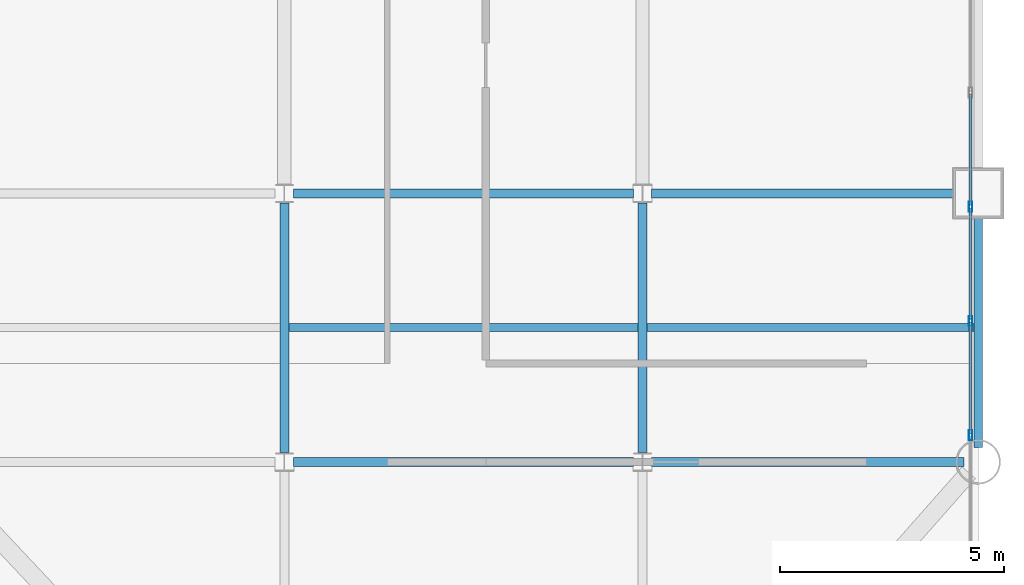
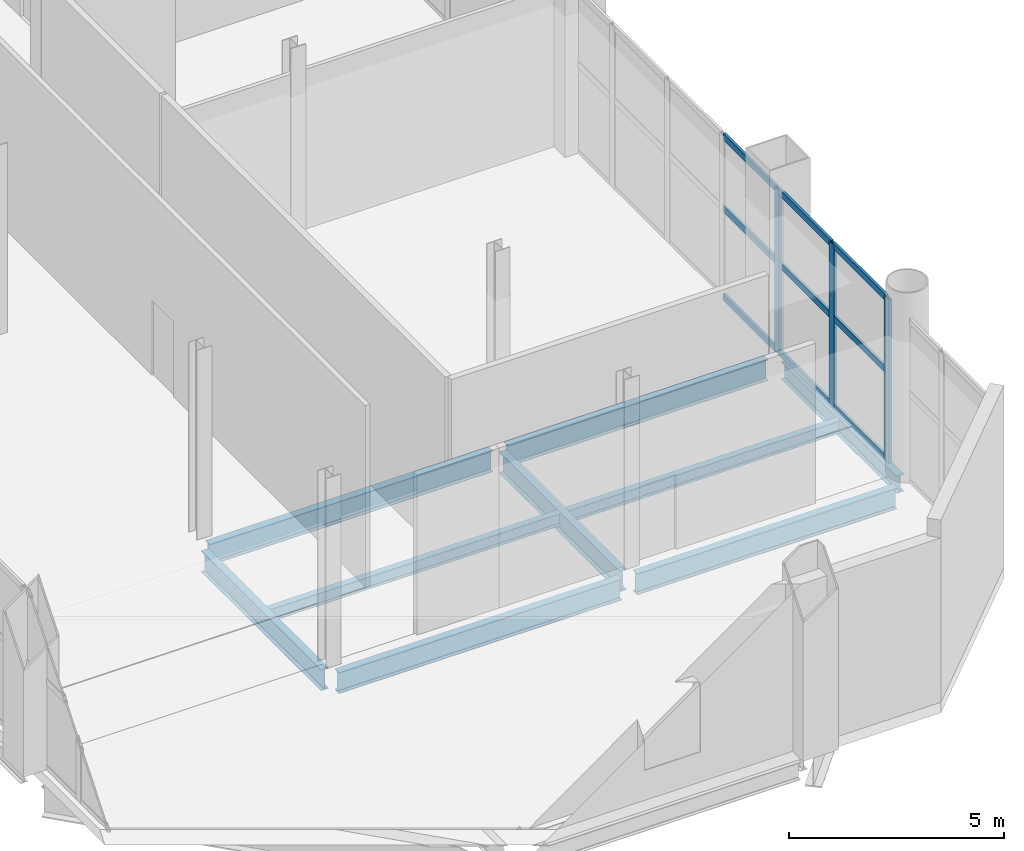
# One storey, part 7 of 22: 12 members, 9 beams, 1 element without a shape of its own.
"""IFC4 building model written with IfcOpenShell, lengths in metres."""

from ifc_helpers import new_model, si_unit, direction, frame, origin, origin_2d, place, context, subcontext, project, spatial, hollow_rectangle, i_section, extrude, material, layer, layer_set, material_profile, profile_set, type_object, element, aggregate, save


model = new_model("IFC4")

# Units and contexts
model_context = context("Model", 3, precision=1e-05, world=origin(), true_north=direction((0.0, 1.0)))
body_context = subcontext(model_context, "Body", "Model", "MODEL_VIEW")
ifc_project = project(units=[si_unit("LENGTHUNIT", "METRE"), si_unit("AREAUNIT", "SQUARE_METRE"), si_unit("VOLUMEUNIT", "CUBIC_METRE"), si_unit("PLANEANGLEUNIT", "RADIAN"), si_unit("MASSUNIT", "GRAM", prefix="KILO")], contexts=[model_context])

# Site, building, storey
site_placement = place(None, origin())
site = spatial("IfcSite", under=ifc_project, at=site_placement, CompositionType="ELEMENT")
building_placement = place(site_placement, origin())
building = spatial("IfcBuilding", under=site, at=building_placement, Name="Qianrong Seaharbour Tower", CompositionType="ELEMENT")
storey_placement = place(building_placement, frame((0.0, 0.0, 113.60009765625)))
storey = spatial("IfcBuildingStorey", under=building, at=storey_placement, Name="L27", CompositionType="ELEMENT", Elevation=113.60009765625)

# Beams
ifc_material_1 = material(Name="Structural steel SN490B", Category="steel")
ifc_material_profile_1 = material_profile(ifc_material_1, i_section(OverallWidth=0.199951171875, OverallDepth=0.60009765625, WebThickness=0.010986328125, FlangeThickness=0.01708984375, FilletRadius=0.02197265625, at=origin_2d()), Name="H600x200x11x17")
ifc_profile_set_1 = profile_set([ifc_material_profile_1], Name="Structural steel SN490B")
beam_type_1 = type_object("IfcBeamType", Name="BM-G-600", PredefinedType="BEAM", material=ifc_profile_set_1)
beam_1_placement = place(storey_placement, frame((48.70361328125, 12.5, -0.60009765625), z_axis=(1.0, 0.0, 0.0), x_axis=(0.0, 1.0, 0.0)))
element("IfcBeam", 1, at=beam_1_placement, inside=storey, type_object=beam_type_1, Name="L27 Primary Girder GC G7-G8", PredefinedType="BEAM", context=body_context, shape_type="SweptSolid", body=[
    extrude(i_section(OverallWidth=0.199951171875, OverallDepth=0.60009765625, WebThickness=0.010986328125, FlangeThickness=0.01708984375, FilletRadius=0.02197265625, at=origin_2d()), origin(), (0.0, 0.0, 1.0), 7.5927734375),
])
beam_2_placement = place(storey_placement, frame((56.70361328125, 12.5, -0.60009765625), z_axis=(1.0, 0.0, 0.0), x_axis=(0.0, 1.0, 0.0)))
element("IfcBeam", 2, at=beam_2_placement, inside=storey, type_object=beam_type_1, Name="L27 Primary Girder GC G8-G9", PredefinedType="BEAM", context=body_context, shape_type="SweptSolid", body=[
    extrude(i_section(OverallWidth=0.199951171875, OverallDepth=0.60009765625, WebThickness=0.010986328125, FlangeThickness=0.01708984375, FilletRadius=0.02197265625, at=origin_2d()), origin(), (0.0, 0.0, 1.0), 6.976318359375),
])
beam_3_placement = place(storey_placement, frame((48.70361328125, 18.5, -0.60009765625), z_axis=(1.0, 0.0, 0.0), x_axis=(0.0, 1.0, 0.0)))
element("IfcBeam", 3, at=beam_3_placement, inside=storey, type_object=beam_type_1, Name="L27 Primary Girder GD G7-G8", PredefinedType="BEAM", context=body_context, shape_type="SweptSolid", body=[
    extrude(i_section(OverallWidth=0.199951171875, OverallDepth=0.60009765625, WebThickness=0.010986328125, FlangeThickness=0.01708984375, FilletRadius=0.02197265625, at=origin_2d()), origin(), (0.0, 0.0, 1.0), 7.5927734375),
])
beam_4_placement = place(storey_placement, frame((56.70361328125, 18.5, -0.60009765625), z_axis=(1.0, 0.0, 0.0), x_axis=(0.0, 1.0, 0.0)))
element("IfcBeam", 4, at=beam_4_placement, inside=storey, type_object=beam_type_1, Name="L27 Primary Girder GD G8-G9", PredefinedType="BEAM", context=body_context, shape_type="SweptSolid", body=[
    extrude(i_section(OverallWidth=0.199951171875, OverallDepth=0.60009765625, WebThickness=0.010986328125, FlangeThickness=0.01708984375, FilletRadius=0.02197265625, at=origin_2d()), origin(), (0.0, 0.0, 1.0), 6.976318359375),
])
for number, where, z_axis, x_axis, name in (
    (5, (48.5, 12.714111328125, -0.60009765625), (0.0, 1.0, 0.0), (-1.0, 0.0, 0.0), "L27 Primary Girder G7 GC-GD"),
    (6, (56.5, 12.714111328125, -0.60009765625), (0.0, 1.0, 0.0), (-1.0, 0.0, 0.0), "L27 Primary Girder G8 GC-GD"),
):
    element("IfcBeam", number, at=place(storey_placement, frame(where, z_axis=z_axis, x_axis=x_axis)), inside=storey, type_object=beam_type_1, Name=name, PredefinedType="BEAM", context=body_context, shape_type="SweptSolid", body=[
        extrude(i_section(OverallWidth=0.199951171875, OverallDepth=0.60009765625, WebThickness=0.010986328125, FlangeThickness=0.01708984375, FilletRadius=0.02197265625, at=origin_2d()), origin(), (0.0, 0.0, 1.0), 5.57177734375),
    ])
ifc_material_2 = material(Name="Structural steel SN400B", Category="steel")
ifc_material_profile_2 = material_profile(ifc_material_2, i_section(OverallWidth=0.175048828125, OverallDepth=0.35009765625, WebThickness=0.007080078125, FlangeThickness=0.010986328125, FilletRadius=0.013916015625, at=origin_2d()), Name="H350x175x7x11")
ifc_profile_set_2 = profile_set([ifc_material_profile_2], Name="Structural steel SN400B")
beam_type_2 = type_object("IfcBeamType", Name="BM-J-350", PredefinedType="JOIST", material=ifc_profile_set_2)
beam_5_placement = place(storey_placement, frame((48.60009765625, 15.5, -0.47509765625), z_axis=(1.0, 0.0, 0.0), x_axis=(0.0, 1.0, 0.0)))
element("IfcBeam", 7, at=beam_5_placement, inside=storey, type_object=beam_type_2, Name="L27 Composite Floor Joist G7-G8/GC-GD", PredefinedType="JOIST", context=body_context, shape_type="SweptSolid", body=[
    extrude(i_section(OverallWidth=0.175048828125, OverallDepth=0.35009765625, WebThickness=0.007080078125, FlangeThickness=0.010986328125, FilletRadius=0.013916015625, at=origin_2d()), origin(), (0.0, 0.0, 1.0), 7.7998046875),
])
beam_6_placement = place(storey_placement, frame((56.60009765625, 15.5, -0.47509765625), z_axis=(1.0, 0.0, 0.0), x_axis=(0.0, 1.0, 0.0)))
element("IfcBeam", 8, at=beam_6_placement, inside=storey, type_object=beam_type_2, Name="L27 Composite Floor Joist G8-G9/GC-GD", PredefinedType="JOIST", context=body_context, shape_type="SweptSolid", body=[
    extrude(i_section(OverallWidth=0.175048828125, OverallDepth=0.35009765625, WebThickness=0.007080078125, FlangeThickness=0.010986328125, FilletRadius=0.013916015625, at=origin_2d()), origin(), (0.0, 0.0, 1.0), 7.2998046875),
])
ifc_material_profile_3 = material_profile(ifc_material_1, i_section(OverallWidth=0.199951171875, OverallDepth=0.5, WebThickness=0.010009765625, FlangeThickness=0.01611328125, FilletRadius=0.02001953125, at=origin_2d()), Name="H500x200x10x16")
ifc_profile_set_3 = profile_set([ifc_material_profile_3], Name="Structural steel SN490B")
beam_type_3 = type_object("IfcBeamType", Name="BM-SP-500", PredefinedType="SPANDREL", material=ifc_profile_set_3)
beam_7_placement = place(storey_placement, frame((64.0, 12.820068359375, -0.550048828125), z_axis=(0.0, 1.0, 0.0), x_axis=(-1.0, 0.0, 0.0)))
element("IfcBeam", 9, at=beam_7_placement, inside=storey, type_object=beam_type_3, Name="L27 Spandrel Girder G9 GC-GD", PredefinedType="SPANDREL", context=body_context, shape_type="SweptSolid", body=[
    extrude(i_section(OverallWidth=0.199951171875, OverallDepth=0.5, WebThickness=0.010009765625, FlangeThickness=0.01611328125, FilletRadius=0.02001953125, at=origin_2d()), origin(), (0.0, 0.0, 1.0), 5.35986328125),
])

# Curtain wall, members
ifc_material_3 = material(Name="Anodised aluminium 6063-T6 and laminated low-e glass", Category="aluminium")
ifc_layer = layer(ifc_material_3, 0.2099609375)
ifc_layer_set = layer_set([ifc_layer], Name="Anodised aluminium 6063-T6 and laminated low-e glass")
curtain_wall_type = type_object("IfcCurtainWallType", Name="CW-SYS-2", PredefinedType="NOTDEFINED", material=ifc_layer_set)
curtain_wall_placement = place(storey_placement, origin())
curtain_wall = element("IfcCurtainWall", 10, at=curtain_wall_placement, inside=storey, type_object=curtain_wall_type, Name="L27 Sky-Lobby Feature Curtain Wall EAST_WING", PredefinedType="NOTDEFINED")
ifc_material_4 = material(Name="Extruded aluminium 6063-T6", Category="aluminium")
ifc_material_profile_4 = material_profile(ifc_material_4, hollow_rectangle(XDim=0.080078125, YDim=0.219970703125, WallThickness=0.0048828125, at=origin_2d()), Name="ALU-MUL-220x80x5")
ifc_profile_set_4 = profile_set([ifc_material_profile_4], Name="Extruded aluminium 6063-T6")
member_type_1 = type_object("IfcMemberType", Name="CW-MUL-220", PredefinedType="MULLION", material=ifc_profile_set_4)
member_1_placement = place(storey_placement, frame((63.830078125, 18.199951171875, 0.0), z_axis=(0.0, 0.0, 1.0), x_axis=(1.0, 0.0, 0.0)))
member_1 = element("IfcMember", 11, at=member_1_placement, type_object=member_type_1, Name="CW-2 mullion 8", PredefinedType="MULLION", context=body_context, shape_type="SweptSolid", body=[
    extrude(hollow_rectangle(XDim=0.080078125, YDim=0.219970703125, WallThickness=0.0048828125, at=origin_2d()), origin(), (0.0, 0.0, 1.0), 4.625),
])
member_2_placement = place(storey_placement, frame((63.830078125, 15.64990234375, 0.0), z_axis=(0.0, 0.0, 1.0), x_axis=(1.0, 0.0, 0.0)))
member_2 = element("IfcMember", 12, at=member_2_placement, type_object=member_type_1, Name="CW-2 mullion 9", PredefinedType="MULLION", context=body_context, shape_type="SweptSolid", body=[
    extrude(hollow_rectangle(XDim=0.080078125, YDim=0.219970703125, WallThickness=0.0048828125, at=origin_2d()), origin(), (0.0, 0.0, 1.0), 4.625),
])
member_3_placement = place(storey_placement, frame((63.830078125, 13.10009765625, 0.0), z_axis=(0.0, 0.0, 1.0), x_axis=(1.0, 0.0, 0.0)))
member_3 = element("IfcMember", 13, at=member_3_placement, type_object=member_type_1, Name="CW-2 mullion 10", PredefinedType="MULLION", context=body_context, shape_type="SweptSolid", body=[
    extrude(hollow_rectangle(XDim=0.080078125, YDim=0.219970703125, WallThickness=0.0048828125, at=origin_2d()), origin(), (0.0, 0.0, 1.0), 4.625),
])
ifc_material_profile_5 = material_profile(ifc_material_4, hollow_rectangle(XDim=0.070068359375, YDim=0.179931640625, WallThickness=0.00390625, at=origin_2d()), Name="ALU-TRN-180x70x4")
ifc_profile_set_5 = profile_set([ifc_material_profile_5], Name="Extruded aluminium 6063-T6")
member_type_2 = type_object("IfcMemberType", Name="CW-TRN-180", PredefinedType="USERDEFINED", material=ifc_profile_set_5)
member_4_placement = place(storey_placement, frame((63.830078125, 20.7099609375, 0.034912109375), z_axis=(0.0, -1.0, 0.0), x_axis=(1.0, 0.0, 0.0)))
member_4 = element("IfcMember", 14, at=member_4_placement, type_object=member_type_2, Name="CW-2 transom 7.1", ObjectType="TRANSOM", PredefinedType="USERDEFINED", context=body_context, shape_type="SweptSolid", body=[
    extrude(hollow_rectangle(XDim=0.070068359375, YDim=0.179931640625, WallThickness=0.00390625, at=origin_2d()), origin(), (0.0, 0.0, 1.0), 2.469970703125),
])
member_5_placement = place(storey_placement, frame((63.830078125, 20.7099609375, 2.543701171875), z_axis=(0.0, -1.0, 0.0), x_axis=(1.0, 0.0, 0.0)))
member_5 = element("IfcMember", 15, at=member_5_placement, type_object=member_type_2, Name="CW-2 transom 7.2", ObjectType="TRANSOM", PredefinedType="USERDEFINED", context=body_context, shape_type="SweptSolid", body=[
    extrude(hollow_rectangle(XDim=0.070068359375, YDim=0.179931640625, WallThickness=0.00390625, at=origin_2d()), origin(), (0.0, 0.0, 1.0), 2.469970703125),
])
member_6_placement = place(storey_placement, frame((63.830078125, 20.7099609375, 4.58984375), z_axis=(0.0, -1.0, 0.0), x_axis=(1.0, 0.0, 0.0)))
member_6 = element("IfcMember", 16, at=member_6_placement, type_object=member_type_2, Name="CW-2 transom 7.3", ObjectType="TRANSOM", PredefinedType="USERDEFINED", context=body_context, shape_type="SweptSolid", body=[
    extrude(hollow_rectangle(XDim=0.070068359375, YDim=0.179931640625, WallThickness=0.00390625, at=origin_2d()), origin(), (0.0, 0.0, 1.0), 2.469970703125),
])
member_7_placement = place(storey_placement, frame((63.830078125, 18.159912109375, 0.034912109375), z_axis=(0.0, -1.0, 0.0), x_axis=(1.0, 0.0, 0.0)))
member_7 = element("IfcMember", 17, at=member_7_placement, type_object=member_type_2, Name="CW-2 transom 8.1", ObjectType="TRANSOM", PredefinedType="USERDEFINED", context=body_context, shape_type="SweptSolid", body=[
    extrude(hollow_rectangle(XDim=0.070068359375, YDim=0.179931640625, WallThickness=0.00390625, at=origin_2d()), origin(), (0.0, 0.0, 1.0), 2.469970703125),
])
member_8_placement = place(storey_placement, frame((63.830078125, 18.159912109375, 2.543701171875), z_axis=(0.0, -1.0, 0.0), x_axis=(1.0, 0.0, 0.0)))
member_8 = element("IfcMember", 18, at=member_8_placement, type_object=member_type_2, Name="CW-2 transom 8.2", ObjectType="TRANSOM", PredefinedType="USERDEFINED", context=body_context, shape_type="SweptSolid", body=[
    extrude(hollow_rectangle(XDim=0.070068359375, YDim=0.179931640625, WallThickness=0.00390625, at=origin_2d()), origin(), (0.0, 0.0, 1.0), 2.469970703125),
])
member_9_placement = place(storey_placement, frame((63.830078125, 18.159912109375, 4.58984375), z_axis=(0.0, -1.0, 0.0), x_axis=(1.0, 0.0, 0.0)))
member_9 = element("IfcMember", 19, at=member_9_placement, type_object=member_type_2, Name="CW-2 transom 8.3", ObjectType="TRANSOM", PredefinedType="USERDEFINED", context=body_context, shape_type="SweptSolid", body=[
    extrude(hollow_rectangle(XDim=0.070068359375, YDim=0.179931640625, WallThickness=0.00390625, at=origin_2d()), origin(), (0.0, 0.0, 1.0), 2.469970703125),
])
member_10_placement = place(storey_placement, frame((63.830078125, 15.610107421875, 0.034912109375), z_axis=(0.0, -1.0, 0.0), x_axis=(1.0, 0.0, 0.0)))
member_10 = element("IfcMember", 20, at=member_10_placement, type_object=member_type_2, Name="CW-2 transom 9.1", ObjectType="TRANSOM", PredefinedType="USERDEFINED", context=body_context, shape_type="SweptSolid", body=[
    extrude(hollow_rectangle(XDim=0.070068359375, YDim=0.179931640625, WallThickness=0.00390625, at=origin_2d()), origin(), (0.0, 0.0, 1.0), 2.47021484375),
])
member_11_placement = place(storey_placement, frame((63.830078125, 15.610107421875, 2.543701171875), z_axis=(0.0, -1.0, 0.0), x_axis=(1.0, 0.0, 0.0)))
member_11 = element("IfcMember", 21, at=member_11_placement, type_object=member_type_2, Name="CW-2 transom 9.2", ObjectType="TRANSOM", PredefinedType="USERDEFINED", context=body_context, shape_type="SweptSolid", body=[
    extrude(hollow_rectangle(XDim=0.070068359375, YDim=0.179931640625, WallThickness=0.00390625, at=origin_2d()), origin(), (0.0, 0.0, 1.0), 2.47021484375),
])
member_12_placement = place(storey_placement, frame((63.830078125, 15.610107421875, 4.58984375), z_axis=(0.0, -1.0, 0.0), x_axis=(1.0, 0.0, 0.0)))
member_12 = element("IfcMember", 22, at=member_12_placement, type_object=member_type_2, Name="CW-2 transom 9.3", ObjectType="TRANSOM", PredefinedType="USERDEFINED", context=body_context, shape_type="SweptSolid", body=[
    extrude(hollow_rectangle(XDim=0.070068359375, YDim=0.179931640625, WallThickness=0.00390625, at=origin_2d()), origin(), (0.0, 0.0, 1.0), 2.47021484375),
])
aggregate(curtain_wall, [member_1, member_2, member_3, member_4, member_5, member_6, member_7, member_8, member_9, member_10, member_11, member_12])

save(model, "model.ifc")
